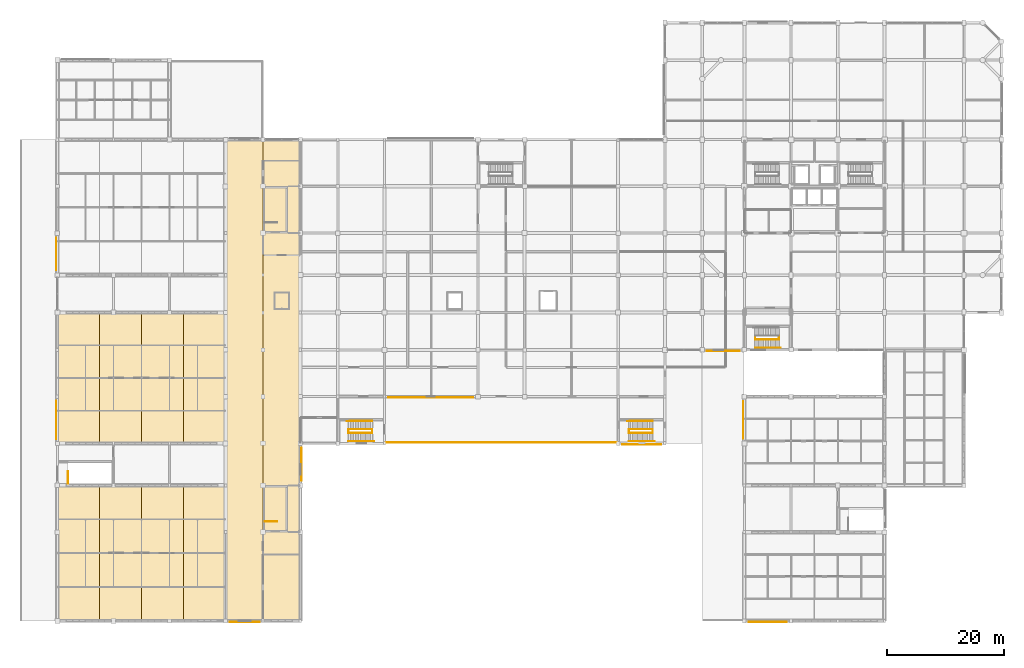
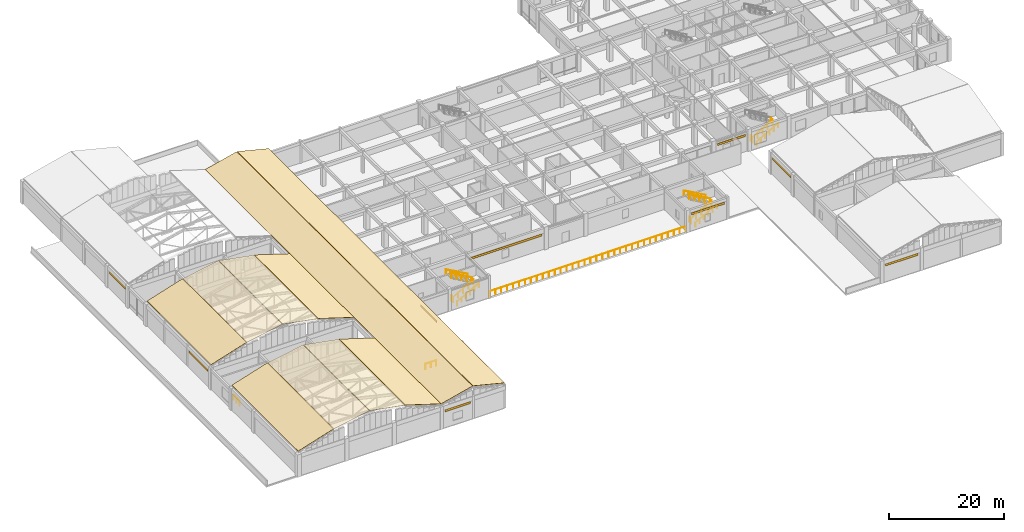
# One storey, part 59 of 61: 19 coverings, 13 railings.
"""IFC4 building model written with IfcOpenShell, lengths in metres."""

from ifc_helpers import new_model, si_unit, direction, frame, origin, origin_2d, place, context, subcontext, project, spatial, polyline, circle, outline, extrude, material, layer, layer_set, type_object, element, save


model = new_model("IFC4")

# Units and contexts
model_context = context("Model", 3, precision=1e-05, world=origin(), true_north=direction((0.0, 1.0)))
body_context = subcontext(model_context, "Body", "Model", "MODEL_VIEW")
ifc_project = project(units=[si_unit("LENGTHUNIT", "METRE"), si_unit("AREAUNIT", "SQUARE_METRE"), si_unit("VOLUMEUNIT", "CUBIC_METRE"), si_unit("PLANEANGLEUNIT", "RADIAN"), si_unit("MASSUNIT", "GRAM", prefix="KILO")], contexts=[model_context])

# Site, building, storey
site_placement = place(None, origin())
site = spatial("IfcSite", under=ifc_project, at=site_placement, CompositionType="ELEMENT")
building_placement = place(site_placement, origin())
building = spatial("IfcBuilding", under=site, at=building_placement, Name="Vellmiral Cinema and Media Centre", CompositionType="ELEMENT")
storey_placement = place(building_placement, frame((0.0, 0.0, 10.800048828125)))
storey = spatial("IfcBuildingStorey", under=building, at=storey_placement, Name="L02", CompositionType="ELEMENT", Elevation=10.800048828125)

# Coverings
ifc_material_1 = material(Name="Polychrome Trencadis Ceramic Mosaic")
ifc_layer_1 = layer(ifc_material_1, 0.034912109375, Name="Polychrome Trencadis Ceramic Mosaic")
ifc_layer_set_1 = layer_set([ifc_layer_1], Name="Polychrome Trencadis Ceramic Mosaic")
covering_type_1 = type_object("IfcCoveringType", Name="COV-TRENCADIS-CLAD", PredefinedType="CLADDING", material=ifc_layer_set_1)
covering_1_placement = place(storey_placement, frame((0.0, 0.0, 3.369873046875)))
element("IfcCovering", 1, at=covering_1_placement, inside=storey, type_object=covering_type_1, Name="Trencadis Spandrel Mosaic L02-004", PredefinedType="CLADDING", context=body_context, shape_type="SweptSolid", body=[
    extrude(outline(polyline([(35.925048828125, 12.592041015625), (41.0, 12.592041015625), (41.0, 12.626953125), (35.925048828125, 12.626953125), (35.925048828125, 12.592041015625)])), origin(), (0.0, 0.0, 1.0), 0.47998046875),
])
covering_2_placement = place(storey_placement, frame((0.0, 0.0, 3.369873046875)))
element("IfcCovering", 2, at=covering_2_placement, inside=storey, type_object=covering_type_1, Name="Trencadis Spandrel Mosaic L02-008", PredefinedType="CLADDING", context=body_context, shape_type="SweptSolid", body=[
    extrude(outline(polyline([(48.2080078125, 36.800048828125), (48.2080078125, 42.425048828125), (48.173095703125, 42.425048828125), (48.173095703125, 36.800048828125), (48.2080078125, 36.800048828125)])), origin(), (0.0, 0.0, 1.0), 0.47998046875),
])
covering_3_placement = place(storey_placement, frame((0.0, 0.0, 2.96484375)))
element("IfcCovering", 3, at=covering_3_placement, inside=storey, type_object=covering_type_1, Name="Trencadis Spandrel Mosaic L02-012", PredefinedType="CLADDING", context=body_context, shape_type="SweptSolid", body=[
    extrude(outline(polyline([(63.0, 51.02197265625), (77.60009765625, 51.02197265625), (77.60009765625, 51.056884765625), (63.0, 51.056884765625), (63.0, 51.02197265625)])), origin(), (0.0, 0.0, 1.0), 0.480224609375),
])
covering_4_placement = place(storey_placement, frame((0.0, 0.0, 3.375)))
element("IfcCovering", 4, at=covering_4_placement, inside=storey, type_object=covering_type_1, Name="Trencadis Spandrel Mosaic L02-016", PredefinedType="CLADDING", context=body_context, shape_type="SweptSolid", body=[
    extrude(outline(polyline([(103.125, 42.991943359375), (109.800048828125, 42.991943359375), (109.800048828125, 43.027099609375), (103.125, 43.027099609375), (103.125, 42.991943359375)])), origin(), (0.0, 0.0, 1.0), 0.47998046875),
])
covering_5_placement = place(storey_placement, frame((0.0, 0.0, 3.3798828125)))
element("IfcCovering", 5, at=covering_5_placement, inside=storey, type_object=covering_type_1, Name="Trencadis Spandrel Mosaic L02-020", PredefinedType="CLADDING", context=body_context, shape_type="SweptSolid", body=[
    extrude(outline(polyline([(117.60009765625, 58.991943359375), (123.22509765625, 58.991943359375), (123.22509765625, 59.027099609375), (117.60009765625, 59.027099609375), (117.60009765625, 58.991943359375)])), origin(), (0.0, 0.0, 1.0), 0.47998046875),
])
covering_6_placement = place(storey_placement, frame((0.0, 0.0, 3.429931640625)))
element("IfcCovering", 6, at=covering_6_placement, inside=storey, type_object=covering_type_1, Name="Trencadis Spandrel Mosaic L02-028", PredefinedType="CLADDING", context=body_context, shape_type="SweptSolid", body=[
    extrude(outline(polyline([(123.7919921875, 50.39990234375), (123.7919921875, 44.02490234375), (123.826904296875, 44.02490234375), (123.826904296875, 50.39990234375), (123.7919921875, 50.39990234375)])), origin(), (0.0, 0.0, 1.0), 0.47998046875),
])
covering_7_placement = place(storey_placement, frame((0.0, 0.0, 3.3798828125)))
element("IfcCovering", 7, at=covering_7_placement, inside=storey, type_object=covering_type_1, Name="Trencadis Spandrel Mosaic L02-032", PredefinedType="CLADDING", context=body_context, shape_type="SweptSolid", body=[
    extrude(outline(polyline([(124.72509765625, 12.592041015625), (131.27490234375, 12.592041015625), (131.27490234375, 12.626953125), (124.72509765625, 12.626953125), (124.72509765625, 12.592041015625)])), origin(), (0.0, 0.0, 1.0), 0.47998046875),
])
covering_8_placement = place(storey_placement, frame((0.0, 0.0, 3.3798828125)))
element("IfcCovering", 8, at=covering_8_placement, inside=storey, type_object=covering_type_1, Name="Trencadis Spandrel Mosaic L02-076", PredefinedType="CLADDING", context=body_context, shape_type="SweptSolid", body=[
    extrude(outline(polyline([(6.19189453125, 78.425048828125), (6.19189453125, 72.800048828125), (6.22705078125, 72.800048828125), (6.22705078125, 78.425048828125), (6.19189453125, 78.425048828125)])), origin(), (0.0, 0.0, 1.0), 0.47998046875),
])
covering_9_placement = place(storey_placement, frame((0.0, 0.0, 3.3798828125)))
element("IfcCovering", 9, at=covering_9_placement, inside=storey, type_object=covering_type_1, Name="Trencadis Spandrel Mosaic L02-080", PredefinedType="CLADDING", context=body_context, shape_type="SweptSolid", body=[
    extrude(outline(polyline([(6.19189453125, 50.5), (6.19189453125, 43.925048828125), (6.22705078125, 43.925048828125), (6.22705078125, 50.5), (6.19189453125, 50.5)])), origin(), (0.0, 0.0, 1.0), 0.47998046875),
])
ifc_material_2 = material(Name="Glazed Catalan Ceramic Roof Tile")
ifc_layer_2 = layer(ifc_material_2, 0.044921875, Name="Glazed Catalan Ceramic Roof Tile")
ifc_layer_set_2 = layer_set([ifc_layer_2], Name="Glazed Catalan Ceramic Roof Tile")
covering_type_2 = type_object("IfcCoveringType", Name="COV-VAULT-ROOFING", PredefinedType="ROOFING", material=ifc_layer_set_2)
covering_10_placement = place(storey_placement, frame((6.39990234375, 12.800048828125, 5.223876953125), z_axis=(-0.300691388993, 0.0, 0.953721494245), x_axis=(0.953721494245, 0.0, 0.300691388993)))
element("IfcCovering", 10, at=covering_10_placement, inside=storey, type_object=covering_type_2, Name="Cinema Screen 1 Catalan Ceramic Vault Roofing A1", PredefinedType="ROOFING", context=body_context, shape_type="SweptSolid", body=[
    extrude(outline(polyline([(0.0, 0.0), (7.5160441846787185, 0.0), (7.5160441846787185, 23.199951171875), (0.0, 23.199951171875), (0.0, 0.0)])), origin(), (0.0, 0.0, -1.0), 0.044921875),
])
covering_11_placement = place(storey_placement, frame((13.632080078125, 12.800048828125, 7.482666015625), z_axis=(-0.182240039857, 0.0, 0.983254070865), x_axis=(0.983254070865, 0.0, 0.182240039857)))
element("IfcCovering", 11, at=covering_11_placement, inside=storey, type_object=covering_type_2, Name="Cinema Screen 1 Catalan Ceramic Vault Roofing A2", PredefinedType="ROOFING", context=body_context, shape_type="SweptSolid", body=[
    extrude(outline(polyline([(0.0, 0.0), (7.247588303249432, 0.0), (7.247588303249432, 23.199951171875004), (0.0, 23.199951171875004), (0.0, 0.0)])), origin(), (0.0, 0.0, -1.0), 0.044921875),
])
covering_12_placement = place(storey_placement, frame((20.841552734375, 12.800048828125, 8.803466796875), z_axis=(0.182234003958, 0.0, 0.983255189562), x_axis=(0.983255189562, 0.0, -0.182234003958)))
element("IfcCovering", 12, at=covering_12_placement, inside=storey, type_object=covering_type_2, Name="Cinema Screen 1 Catalan Ceramic Vault Roofing B2", PredefinedType="ROOFING", context=body_context, shape_type="SweptSolid", body=[
    extrude(outline(polyline([(0.0, 0.0), (7.247828355649389, 0.0), (7.247828355649389, 23.199951171875), (0.0, 23.199951171875), (0.0, 0.0)])), origin(), (0.0, 0.0, -1.0), 0.044921875),
])
covering_13_placement = place(storey_placement, frame((28.031982421875, 12.800048828125, 7.48388671875), z_axis=(0.300700704491, 0.0, 0.953718557185), x_axis=(0.953718557185, 0.0, -0.300700704491)))
element("IfcCovering", 13, at=covering_13_placement, inside=storey, type_object=covering_type_2, Name="Cinema Screen 1 Catalan Ceramic Vault Roofing B1", PredefinedType="ROOFING", context=body_context, shape_type="SweptSolid", body=[
    extrude(outline(polyline([(0.0, 0.0), (7.51581134287556, 0.0), (7.51581134287556, 23.199951171875), (0.0, 23.199951171875), (0.0, 0.0)])), origin(), (0.0, 0.0, -1.0), 0.044921875),
])
covering_14_placement = place(storey_placement, frame((6.39990234375, 43.199951171875, 5.223876953125), z_axis=(-0.300691388993, 0.0, 0.953721494245), x_axis=(0.953721494245, 0.0, 0.300691388993)))
element("IfcCovering", 14, at=covering_14_placement, inside=storey, type_object=covering_type_2, Name="Cinema Screen 2 Catalan Ceramic Vault Roofing A1", PredefinedType="ROOFING", context=body_context, shape_type="SweptSolid", body=[
    extrude(outline(polyline([(0.0, 0.0), (7.5160441846787185, 0.0), (7.5160441846787185, 22.400146484375), (0.0, 22.400146484375), (0.0, 0.0)])), origin(), (0.0, 0.0, -1.0), 0.044921875),
])
covering_15_placement = place(storey_placement, frame((13.632080078125, 43.199951171875, 7.482666015625), z_axis=(-0.182240039857, 0.0, 0.983254070865), x_axis=(0.983254070865, 0.0, 0.182240039857)))
element("IfcCovering", 15, at=covering_15_placement, inside=storey, type_object=covering_type_2, Name="Cinema Screen 2 Catalan Ceramic Vault Roofing A2", PredefinedType="ROOFING", context=body_context, shape_type="SweptSolid", body=[
    extrude(outline(polyline([(0.0, 0.0), (7.247588303249432, 0.0), (7.247588303249432, 22.400146484375), (0.0, 22.400146484375), (0.0, 0.0)])), origin(), (0.0, 0.0, -1.0), 0.044921875),
])
covering_16_placement = place(storey_placement, frame((20.841552734375, 43.199951171875, 8.803466796875), z_axis=(0.182234003958, 0.0, 0.983255189562), x_axis=(0.983255189562, 0.0, -0.182234003958)))
element("IfcCovering", 16, at=covering_16_placement, inside=storey, type_object=covering_type_2, Name="Cinema Screen 2 Catalan Ceramic Vault Roofing B2", PredefinedType="ROOFING", context=body_context, shape_type="SweptSolid", body=[
    extrude(outline(polyline([(0.0, 0.0), (7.247828355649389, 0.0), (7.247828355649389, 22.400146484375), (0.0, 22.400146484375), (0.0, 0.0)])), origin(), (0.0, 0.0, -1.0), 0.044921875),
])
covering_17_placement = place(storey_placement, frame((28.031982421875, 43.199951171875, 7.48388671875), z_axis=(0.300700704491, 0.0, 0.953718557185), x_axis=(0.953718557185, 0.0, -0.300700704491)))
element("IfcCovering", 17, at=covering_17_placement, inside=storey, type_object=covering_type_2, Name="Cinema Screen 2 Catalan Ceramic Vault Roofing B1", PredefinedType="ROOFING", context=body_context, shape_type="SweptSolid", body=[
    extrude(outline(polyline([(0.0, 0.0), (7.51581134287556, 0.0), (7.51581134287556, 22.400146484375), (0.0, 22.400146484375), (0.0, 0.0)])), origin(), (0.0, 0.0, -1.0), 0.044921875),
])
for number, where, z_axis, x_axis, name in (
    (18, (35.199951171875, 12.800048828125, 5.21728515625), (-0.241939485664, 0.0, 0.970291340411), (0.970291340411, 0.0, 0.241939485664), "West Premiere Concourse Gallery Vault Catalan Ceramic Vault Roofing A"),
    (19, (41.6416015625, 12.800048828125, 6.802734375), (0.241939485664, 0.0, 0.970291340411), (0.970291340411, 0.0, -0.241939485664), "West Premiere Concourse Gallery Vault Catalan Ceramic Vault Roofing B"),
):
    element("IfcCovering", number, at=place(storey_placement, frame(where, z_axis=z_axis, x_axis=x_axis)), inside=storey, type_object=covering_type_2, Name=name, PredefinedType="ROOFING", context=body_context, shape_type="SweptSolid", body=[
        extrude(outline(polyline([(0.0, 0.0), (6.553081711320059, 0.0), (6.553081711320059, 82.39990234375001), (0.0, 82.39990234375001), (0.0, 0.0)])), origin(), (0.0, 0.0, -1.0), 0.044921875),
    ])

# Railings
ifc_material_3 = material(Name="Forged Wrought-Iron Whiplash Balustrade", Category="steel")
railing_type_1 = type_object("IfcRailingType", Name="RL-BAL-WROUGHT-1120", PredefinedType="BALUSTRADE", material=ifc_material_3)
railing_1_placement = place(storey_placement, frame((62.60009765625, 43.35009765625, 0.0)))
element("IfcRailing", 20, at=railing_1_placement, inside=storey, type_object=railing_type_1, Name="Terrace Wrought-Iron Balustrade RL-TERR-L02-COURT", PredefinedType="BALUSTRADE", context=body_context, shape_type="SweptSolid", body=[
    extrude(circle(Radius=0.02392578125, at=origin_2d()), frame((0.0, 0.0, 1.09619140625), z_axis=(1.0, 0.0, 0.0), x_axis=(0.0, 1.0, 0.0)), (0.0, 0.0, 1.0), 39.599853515625),
    extrude(circle(Radius=0.02099609375, at=origin_2d()), origin(), (0.0, 0.0, 1.0), 1.072021484375),
    extrude(circle(Radius=0.02099609375, at=origin_2d()), frame((1.199951171875, 0.0, 0.0)), (0.0, 0.0, 1.0), 1.072021484375),
    extrude(circle(Radius=0.02099609375, at=origin_2d()), frame((2.39990234375, 0.0, 0.0)), (0.0, 0.0, 1.0), 1.072021484375),
    extrude(circle(Radius=0.02099609375, at=origin_2d()), frame((3.60009765625, 0.0, 0.0)), (0.0, 0.0, 1.0), 1.072021484375),
    extrude(circle(Radius=0.02099609375, at=origin_2d()), frame((4.800048828125, 0.0, 0.0)), (0.0, 0.0, 1.0), 1.072021484375),
    extrude(circle(Radius=0.02099609375, at=origin_2d()), frame((6.0, 0.0, 0.0)), (0.0, 0.0, 1.0), 1.072021484375),
    extrude(circle(Radius=0.02099609375, at=origin_2d()), frame((7.199951171875, 0.0, 0.0)), (0.0, 0.0, 1.0), 1.072021484375),
    extrude(circle(Radius=0.02099609375, at=origin_2d()), frame((8.39990234375, 0.0, 0.0)), (0.0, 0.0, 1.0), 1.072021484375),
    extrude(circle(Radius=0.02099609375, at=origin_2d()), frame((9.599853515625, 0.0, 0.0)), (0.0, 0.0, 1.0), 1.072021484375),
    extrude(circle(Radius=0.02099609375, at=origin_2d()), frame((10.800048828125, 0.0, 0.0)), (0.0, 0.0, 1.0), 1.072021484375),
    extrude(circle(Radius=0.02099609375, at=origin_2d()), frame((12.0, 0.0, 0.0)), (0.0, 0.0, 1.0), 1.072021484375),
    extrude(circle(Radius=0.02099609375, at=origin_2d()), frame((13.199951171875, 0.0, 0.0)), (0.0, 0.0, 1.0), 1.072021484375),
    extrude(circle(Radius=0.02099609375, at=origin_2d()), frame((14.39990234375, 0.0, 0.0)), (0.0, 0.0, 1.0), 1.072021484375),
    extrude(circle(Radius=0.02099609375, at=origin_2d()), frame((15.599853515625, 0.0, 0.0)), (0.0, 0.0, 1.0), 1.072021484375),
    extrude(circle(Radius=0.02099609375, at=origin_2d()), frame((16.800048828125, 0.0, 0.0)), (0.0, 0.0, 1.0), 1.072021484375),
    extrude(circle(Radius=0.02099609375, at=origin_2d()), frame((18.0, 0.0, 0.0)), (0.0, 0.0, 1.0), 1.072021484375),
    extrude(circle(Radius=0.02099609375, at=origin_2d()), frame((19.199951171875, 0.0, 0.0)), (0.0, 0.0, 1.0), 1.072021484375),
    extrude(circle(Radius=0.02099609375, at=origin_2d()), frame((20.39990234375, 0.0, 0.0)), (0.0, 0.0, 1.0), 1.072021484375),
    extrude(circle(Radius=0.02099609375, at=origin_2d()), frame((21.599853515625, 0.0, 0.0)), (0.0, 0.0, 1.0), 1.072021484375),
    extrude(circle(Radius=0.02099609375, at=origin_2d()), frame((22.7998046875, 0.0, 0.0)), (0.0, 0.0, 1.0), 1.072021484375),
    extrude(circle(Radius=0.02099609375, at=origin_2d()), frame((24.0, 0.0, 0.0)), (0.0, 0.0, 1.0), 1.072021484375),
    extrude(circle(Radius=0.02099609375, at=origin_2d()), frame((25.199951171875, 0.0, 0.0)), (0.0, 0.0, 1.0), 1.072021484375),
    extrude(circle(Radius=0.02099609375, at=origin_2d()), frame((26.39990234375, 0.0, 0.0)), (0.0, 0.0, 1.0), 1.072021484375),
    extrude(circle(Radius=0.02099609375, at=origin_2d()), frame((27.599853515625, 0.0, 0.0)), (0.0, 0.0, 1.0), 1.072021484375),
    extrude(circle(Radius=0.02099609375, at=origin_2d()), frame((28.7998046875, 0.0, 0.0)), (0.0, 0.0, 1.0), 1.072021484375),
    extrude(circle(Radius=0.02099609375, at=origin_2d()), frame((30.0, 0.0, 0.0)), (0.0, 0.0, 1.0), 1.072021484375),
    extrude(circle(Radius=0.02099609375, at=origin_2d()), frame((31.199951171875, 0.0, 0.0)), (0.0, 0.0, 1.0), 1.072021484375),
    extrude(circle(Radius=0.02099609375, at=origin_2d()), frame((32.39990234375, 0.0, 0.0)), (0.0, 0.0, 1.0), 1.072021484375),
    extrude(circle(Radius=0.02099609375, at=origin_2d()), frame((33.599853515625, 0.0, 0.0)), (0.0, 0.0, 1.0), 1.072021484375),
    extrude(circle(Radius=0.02099609375, at=origin_2d()), frame((34.7998046875, 0.0, 0.0)), (0.0, 0.0, 1.0), 1.072021484375),
    extrude(circle(Radius=0.02099609375, at=origin_2d()), frame((35.999755859375, 0.0, 0.0)), (0.0, 0.0, 1.0), 1.072021484375),
    extrude(circle(Radius=0.02099609375, at=origin_2d()), frame((37.199951171875, 0.0, 0.0)), (0.0, 0.0, 1.0), 1.072021484375),
    extrude(circle(Radius=0.02099609375, at=origin_2d()), frame((38.39990234375, 0.0, 0.0)), (0.0, 0.0, 1.0), 1.072021484375),
    extrude(circle(Radius=0.02099609375, at=origin_2d()), frame((39.599853515625, 0.0, 0.0)), (0.0, 0.0, 1.0), 1.072021484375),
])
ifc_material_4 = material(Name="Brushed Stainless Steel Handrail", Category="steel")
railing_type_2 = type_object("IfcRailingType", Name="RL-HANDRAIL-900", PredefinedType="HANDRAIL", material=ifc_material_4)
railing_2_placement = place(storey_placement, frame((56.25, 43.56005859375, 0.159912109375)))
element("IfcRailing", 21, at=railing_2_placement, inside=storey, type_object=railing_type_2, Name="Stair Wall Handrail ST-P3 L02-1", PredefinedType="HANDRAIL", context=body_context, shape_type="SweptSolid", body=[
    extrude(circle(Radius=0.02392578125, at=origin_2d()), frame((0.0, 0.0, 0.8759765625), z_axis=(0.875569800069, 0.0, 0.483091632309), x_axis=(0.0, 1.0, 0.0)), (0.0, 0.0, 1.0), 4.96826171875),
    extrude(circle(Radius=0.02099609375, at=origin_2d()), origin(), (0.0, 0.0, 1.0), 0.851806640625),
    extrude(circle(Radius=0.02099609375, at=origin_2d()), frame((0.8701171875, 0.0, 0.47998046875)), (0.0, 0.0, 1.0), 0.851806640625),
    extrude(circle(Radius=0.02099609375, at=origin_2d()), frame((1.739990234375, 0.0, 0.9599609375)), (0.0, 0.0, 1.0), 0.851806640625),
    extrude(circle(Radius=0.02099609375, at=origin_2d()), frame((2.610107421875, 0.0, 1.440185546875)), (0.0, 0.0, 1.0), 0.851806640625),
    extrude(circle(Radius=0.02099609375, at=origin_2d()), frame((3.47998046875, 0.0, 1.920166015625)), (0.0, 0.0, 1.0), 0.851806640625),
    extrude(circle(Radius=0.02099609375, at=origin_2d()), frame((4.35009765625, 0.0, 2.400146484375)), (0.0, 0.0, 1.0), 0.851806640625),
])
railing_3_placement = place(storey_placement, frame((60.31005859375, 47.0400390625, 2.56005859375)))
element("IfcRailing", 22, at=railing_3_placement, inside=storey, type_object=railing_type_2, Name="Stair Wall Handrail ST-P3 L02-2", PredefinedType="HANDRAIL", context=body_context, shape_type="SweptSolid", body=[
    extrude(circle(Radius=0.02392578125, at=origin_2d()), frame((0.0, 0.0, 0.8759765625), z_axis=(-0.875590584852, 0.0, 0.483053959428), x_axis=(0.0, -1.0, 0.0)), (0.0, 0.0, 1.0), 4.96826171875),
    extrude(circle(Radius=0.02099609375, at=origin_2d()), origin(), (0.0, 0.0, 1.0), 0.851806640625),
    extrude(circle(Radius=0.02099609375, at=origin_2d()), frame((-0.8701171875, 0.0, 0.47998046875)), (0.0, 0.0, 1.0), 0.851806640625),
    extrude(circle(Radius=0.02099609375, at=origin_2d()), frame((-1.739990234375, 0.0, 0.9599609375)), (0.0, 0.0, 1.0), 0.851806640625),
    extrude(circle(Radius=0.02099609375, at=origin_2d()), frame((-2.610107421875, 0.0, 1.43994140625)), (0.0, 0.0, 1.0), 0.851806640625),
    extrude(circle(Radius=0.02099609375, at=origin_2d()), frame((-3.47998046875, 0.0, 1.919921875)), (0.0, 0.0, 1.0), 0.851806640625),
    extrude(circle(Radius=0.02099609375, at=origin_2d()), frame((-4.35009765625, 0.0, 2.39990234375)), (0.0, 0.0, 1.0), 0.851806640625),
])
railing_4_placement = place(storey_placement, frame((104.25, 43.56005859375, 0.159912109375)))
element("IfcRailing", 23, at=railing_4_placement, inside=storey, type_object=railing_type_2, Name="Stair Wall Handrail ST-P4 L02-1", PredefinedType="HANDRAIL", context=body_context, shape_type="SweptSolid", body=[
    extrude(circle(Radius=0.02392578125, at=origin_2d()), frame((0.0, 0.0, 0.8759765625), z_axis=(0.875569800069, 0.0, 0.483091632309), x_axis=(0.0, 1.0, 0.0)), (0.0, 0.0, 1.0), 4.96826171875),
    extrude(circle(Radius=0.02099609375, at=origin_2d()), origin(), (0.0, 0.0, 1.0), 0.851806640625),
    extrude(circle(Radius=0.02099609375, at=origin_2d()), frame((0.8701171875, 0.0, 0.47998046875)), (0.0, 0.0, 1.0), 0.851806640625),
    extrude(circle(Radius=0.02099609375, at=origin_2d()), frame((1.739990234375, 0.0, 0.9599609375)), (0.0, 0.0, 1.0), 0.851806640625),
    extrude(circle(Radius=0.02099609375, at=origin_2d()), frame((2.610107421875, 0.0, 1.440185546875)), (0.0, 0.0, 1.0), 0.851806640625),
    extrude(circle(Radius=0.02099609375, at=origin_2d()), frame((3.47998046875, 0.0, 1.920166015625)), (0.0, 0.0, 1.0), 0.851806640625),
    extrude(circle(Radius=0.02099609375, at=origin_2d()), frame((4.35009765625, 0.0, 2.400146484375)), (0.0, 0.0, 1.0), 0.851806640625),
])
railing_5_placement = place(storey_placement, frame((108.31005859375, 47.0400390625, 2.56005859375)))
element("IfcRailing", 24, at=railing_5_placement, inside=storey, type_object=railing_type_2, Name="Stair Wall Handrail ST-P4 L02-2", PredefinedType="HANDRAIL", context=body_context, shape_type="SweptSolid", body=[
    extrude(circle(Radius=0.02392578125, at=origin_2d()), frame((0.0, 0.0, 0.8759765625), z_axis=(-0.875590584852, 0.0, 0.483053959428), x_axis=(0.0, -1.0, 0.0)), (0.0, 0.0, 1.0), 4.96826171875),
    extrude(circle(Radius=0.02099609375, at=origin_2d()), origin(), (0.0, 0.0, 1.0), 0.851806640625),
    extrude(circle(Radius=0.02099609375, at=origin_2d()), frame((-0.8701171875, 0.0, 0.47998046875)), (0.0, 0.0, 1.0), 0.851806640625),
    extrude(circle(Radius=0.02099609375, at=origin_2d()), frame((-1.739990234375, 0.0, 0.9599609375)), (0.0, 0.0, 1.0), 0.851806640625),
    extrude(circle(Radius=0.02099609375, at=origin_2d()), frame((-2.610107421875, 0.0, 1.43994140625)), (0.0, 0.0, 1.0), 0.851806640625),
    extrude(circle(Radius=0.02099609375, at=origin_2d()), frame((-3.47998046875, 0.0, 1.919921875)), (0.0, 0.0, 1.0), 0.851806640625),
    extrude(circle(Radius=0.02099609375, at=origin_2d()), frame((-4.35009765625, 0.0, 2.39990234375)), (0.0, 0.0, 1.0), 0.851806640625),
])
railing_6_placement = place(storey_placement, frame((125.85009765625, 59.56005859375, 0.159912109375)))
element("IfcRailing", 25, at=railing_6_placement, inside=storey, type_object=railing_type_2, Name="Stair Wall Handrail ST-P6 L02-1", PredefinedType="HANDRAIL", context=body_context, shape_type="SweptSolid", body=[
    extrude(circle(Radius=0.02392578125, at=origin_2d()), frame((0.0, 0.0, 0.8759765625), z_axis=(0.875558331245, 0.0, 0.483112418167), x_axis=(0.0, 1.0, 0.0)), (0.0, 0.0, 1.0), 4.968017578125),
    extrude(circle(Radius=0.02099609375, at=origin_2d()), origin(), (0.0, 0.0, 1.0), 0.851806640625),
    extrude(circle(Radius=0.02099609375, at=origin_2d()), frame((0.869873046875, 0.0, 0.47998046875)), (0.0, 0.0, 1.0), 0.851806640625),
    extrude(circle(Radius=0.02099609375, at=origin_2d()), frame((1.739990234375, 0.0, 0.9599609375)), (0.0, 0.0, 1.0), 0.851806640625),
    extrude(circle(Radius=0.02099609375, at=origin_2d()), frame((2.60986328125, 0.0, 1.440185546875)), (0.0, 0.0, 1.0), 0.851806640625),
    extrude(circle(Radius=0.02099609375, at=origin_2d()), frame((3.47998046875, 0.0, 1.920166015625)), (0.0, 0.0, 1.0), 0.851806640625),
    extrude(circle(Radius=0.02099609375, at=origin_2d()), frame((4.349853515625, 0.0, 2.400146484375)), (0.0, 0.0, 1.0), 0.851806640625),
])
ifc_material_5 = material(Name="Painted Steel Stair Guardrail", Category="steel")
railing_type_3 = type_object("IfcRailingType", Name="RL-STAIR-GUARD-1120", PredefinedType="GUARDRAIL", material=ifc_material_5)
railing_7_placement = place(storey_placement, frame((41.89990234375, 29.800048828125, 0.0)))
element("IfcRailing", 26, at=railing_7_placement, inside=storey, type_object=railing_type_3, Name="Top-Landing Stairwell Guard ST-P1 L02", PredefinedType="GUARDRAIL", context=body_context, shape_type="SweptSolid", body=[
    extrude(circle(Radius=0.02392578125, at=origin_2d()), frame((0.0, 0.0, 1.09619140625), z_axis=(1.0, 0.0, 0.0), x_axis=(0.0, 1.0, 0.0)), (0.0, 0.0, 1.0), 2.14013671875),
    extrude(circle(Radius=0.02099609375, at=origin_2d()), origin(), (0.0, 0.0, 1.0), 1.072021484375),
    extrude(circle(Radius=0.02099609375, at=origin_2d()), frame((1.070068359375, 0.0, 0.0)), (0.0, 0.0, 1.0), 1.072021484375),
    extrude(circle(Radius=0.02099609375, at=origin_2d()), frame((2.14013671875, 0.0, 0.0)), (0.0, 0.0, 1.0), 1.072021484375),
])
railing_8_placement = place(storey_placement, frame((56.25, 45.580078125, 0.0)))
element("IfcRailing", 27, at=railing_8_placement, inside=storey, type_object=railing_type_3, Name="Stair Well Guard ST-P3 L02-A", PredefinedType="GUARDRAIL", context=body_context, shape_type="SweptSolid", body=[
    extrude(circle(Radius=0.02392578125, at=origin_2d()), frame((0.0, 0.0, 1.09619140625), z_axis=(0.0, -1.0, 0.0), x_axis=(1.0, 0.0, 0.0)), (0.0, 0.0, 1.0), 0.60009765625),
    extrude(circle(Radius=0.02392578125, at=origin_2d()), frame((0.0, -0.60009765625, 1.09619140625), z_axis=(0.8608543813, 0.0, 0.508851387142), x_axis=(0.0, 1.0, 0.0)), (0.0, 0.0, 1.0), 4.71630859375),
    extrude(circle(Radius=0.02392578125, at=origin_2d()), frame((4.06005859375, -0.60009765625, 3.49609375), z_axis=(0.0, 1.0, 0.0), x_axis=(-1.0, 0.0, 0.0)), (0.0, 0.0, 1.0), 0.64013671875),
    extrude(circle(Radius=0.02099609375, at=origin_2d()), origin(), (0.0, 0.0, 1.0), 1.072021484375),
    extrude(circle(Radius=0.02099609375, at=origin_2d()), frame((0.0, -0.60009765625, 0.0)), (0.0, 0.0, 1.0), 1.072021484375),
    extrude(circle(Radius=0.02099609375, at=origin_2d()), frame((1.01513671875, -0.60009765625, 0.60009765625)), (0.0, 0.0, 1.0), 1.072021484375),
    extrude(circle(Radius=0.02099609375, at=origin_2d()), frame((2.030029296875, -0.60009765625, 1.199951171875)), (0.0, 0.0, 1.0), 1.072021484375),
    extrude(circle(Radius=0.02099609375, at=origin_2d()), frame((3.044921875, -0.60009765625, 1.7998046875)), (0.0, 0.0, 1.0), 1.072021484375),
    extrude(circle(Radius=0.02099609375, at=origin_2d()), frame((4.06005859375, -0.60009765625, 2.39990234375)), (0.0, 0.0, 1.0), 1.072021484375),
    extrude(circle(Radius=0.02099609375, at=origin_2d()), frame((4.06005859375, 0.0400390625, 2.39990234375)), (0.0, 0.0, 1.0), 1.072021484375),
])
railing_9_placement = place(storey_placement, frame((60.31005859375, 45.6201171875, 2.39990234375)))
element("IfcRailing", 28, at=railing_9_placement, inside=storey, type_object=railing_type_3, Name="Stair Well Guard ST-P3 L02-B", PredefinedType="GUARDRAIL", context=body_context, shape_type="SweptSolid", body=[
    extrude(circle(Radius=0.02392578125, at=origin_2d()), frame((0.0, 0.0, 1.09619140625), z_axis=(-0.860831705478, 0.0, 0.508889747237), x_axis=(0.0, -1.0, 0.0)), (0.0, 0.0, 1.0), 4.716552734375),
    extrude(circle(Radius=0.02099609375, at=origin_2d()), origin(), (0.0, 0.0, 1.0), 1.072021484375),
    extrude(circle(Radius=0.02099609375, at=origin_2d()), frame((-1.01513671875, 0.0, 0.60009765625)), (0.0, 0.0, 1.0), 1.072021484375),
    extrude(circle(Radius=0.02099609375, at=origin_2d()), frame((-2.030029296875, 0.0, 1.2001953125)), (0.0, 0.0, 1.0), 1.072021484375),
    extrude(circle(Radius=0.02099609375, at=origin_2d()), frame((-3.044921875, 0.0, 1.800048828125)), (0.0, 0.0, 1.0), 1.072021484375),
    extrude(circle(Radius=0.02099609375, at=origin_2d()), frame((-4.06005859375, 0.0, 2.400146484375)), (0.0, 0.0, 1.0), 1.072021484375),
])
railing_10_placement = place(storey_placement, frame((104.25, 45.580078125, 0.0)))
element("IfcRailing", 29, at=railing_10_placement, inside=storey, type_object=railing_type_3, Name="Stair Well Guard ST-P4 L02-A", PredefinedType="GUARDRAIL", context=body_context, shape_type="SweptSolid", body=[
    extrude(circle(Radius=0.02392578125, at=origin_2d()), frame((0.0, 0.0, 1.09619140625), z_axis=(0.0, -1.0, 0.0), x_axis=(1.0, 0.0, 0.0)), (0.0, 0.0, 1.0), 0.60009765625),
    extrude(circle(Radius=0.02392578125, at=origin_2d()), frame((0.0, -0.60009765625, 1.09619140625), z_axis=(0.8608543813, 0.0, 0.508851387142), x_axis=(0.0, 1.0, 0.0)), (0.0, 0.0, 1.0), 4.71630859375),
    extrude(circle(Radius=0.02392578125, at=origin_2d()), frame((4.06005859375, -0.60009765625, 3.49609375), z_axis=(0.0, 1.0, 0.0), x_axis=(-1.0, 0.0, 0.0)), (0.0, 0.0, 1.0), 0.64013671875),
    extrude(circle(Radius=0.02099609375, at=origin_2d()), origin(), (0.0, 0.0, 1.0), 1.072021484375),
    extrude(circle(Radius=0.02099609375, at=origin_2d()), frame((0.0, -0.60009765625, 0.0)), (0.0, 0.0, 1.0), 1.072021484375),
    extrude(circle(Radius=0.02099609375, at=origin_2d()), frame((1.01513671875, -0.60009765625, 0.60009765625)), (0.0, 0.0, 1.0), 1.072021484375),
    extrude(circle(Radius=0.02099609375, at=origin_2d()), frame((2.030029296875, -0.60009765625, 1.199951171875)), (0.0, 0.0, 1.0), 1.072021484375),
    extrude(circle(Radius=0.02099609375, at=origin_2d()), frame((3.044921875, -0.60009765625, 1.7998046875)), (0.0, 0.0, 1.0), 1.072021484375),
    extrude(circle(Radius=0.02099609375, at=origin_2d()), frame((4.06005859375, -0.60009765625, 2.39990234375)), (0.0, 0.0, 1.0), 1.072021484375),
    extrude(circle(Radius=0.02099609375, at=origin_2d()), frame((4.06005859375, 0.0400390625, 2.39990234375)), (0.0, 0.0, 1.0), 1.072021484375),
])
railing_11_placement = place(storey_placement, frame((108.31005859375, 45.6201171875, 2.39990234375)))
element("IfcRailing", 30, at=railing_11_placement, inside=storey, type_object=railing_type_3, Name="Stair Well Guard ST-P4 L02-B", PredefinedType="GUARDRAIL", context=body_context, shape_type="SweptSolid", body=[
    extrude(circle(Radius=0.02392578125, at=origin_2d()), frame((0.0, 0.0, 1.09619140625), z_axis=(-0.860831705478, 0.0, 0.508889747237), x_axis=(0.0, -1.0, 0.0)), (0.0, 0.0, 1.0), 4.716552734375),
    extrude(circle(Radius=0.02099609375, at=origin_2d()), origin(), (0.0, 0.0, 1.0), 1.072021484375),
    extrude(circle(Radius=0.02099609375, at=origin_2d()), frame((-1.01513671875, 0.0, 0.60009765625)), (0.0, 0.0, 1.0), 1.072021484375),
    extrude(circle(Radius=0.02099609375, at=origin_2d()), frame((-2.030029296875, 0.0, 1.2001953125)), (0.0, 0.0, 1.0), 1.072021484375),
    extrude(circle(Radius=0.02099609375, at=origin_2d()), frame((-3.044921875, 0.0, 1.800048828125)), (0.0, 0.0, 1.0), 1.072021484375),
    extrude(circle(Radius=0.02099609375, at=origin_2d()), frame((-4.06005859375, 0.0, 2.400146484375)), (0.0, 0.0, 1.0), 1.072021484375),
])
railing_12_placement = place(storey_placement, frame((125.85009765625, 61.580078125, 0.0)))
element("IfcRailing", 31, at=railing_12_placement, inside=storey, type_object=railing_type_3, Name="Stair Well Guard ST-P6 L02-A", PredefinedType="GUARDRAIL", context=body_context, shape_type="SweptSolid", body=[
    extrude(circle(Radius=0.02392578125, at=origin_2d()), frame((0.0, 0.0, 1.09619140625), z_axis=(0.0, -1.0, 0.0), x_axis=(1.0, 0.0, 0.0)), (0.0, 0.0, 1.0), 0.60009765625),
    extrude(circle(Radius=0.02392578125, at=origin_2d()), frame((0.0, -0.60009765625, 1.09619140625), z_axis=(0.860840976868, 0.0, 0.508874063541), x_axis=(0.0, 1.0, 0.0)), (0.0, 0.0, 1.0), 4.716064453125),
    extrude(circle(Radius=0.02392578125, at=origin_2d()), frame((4.059814453125, -0.60009765625, 3.49609375), z_axis=(0.0, 1.0, 0.0), x_axis=(-1.0, 0.0, 0.0)), (0.0, 0.0, 1.0), 0.64013671875),
    extrude(circle(Radius=0.02099609375, at=origin_2d()), origin(), (0.0, 0.0, 1.0), 1.072021484375),
    extrude(circle(Radius=0.02099609375, at=origin_2d()), frame((0.0, -0.60009765625, 0.0)), (0.0, 0.0, 1.0), 1.072021484375),
    extrude(circle(Radius=0.02099609375, at=origin_2d()), frame((1.014892578125, -0.60009765625, 0.60009765625)), (0.0, 0.0, 1.0), 1.072021484375),
    extrude(circle(Radius=0.02099609375, at=origin_2d()), frame((2.02978515625, -0.60009765625, 1.199951171875)), (0.0, 0.0, 1.0), 1.072021484375),
    extrude(circle(Radius=0.02099609375, at=origin_2d()), frame((3.044921875, -0.60009765625, 1.7998046875)), (0.0, 0.0, 1.0), 1.072021484375),
    extrude(circle(Radius=0.02099609375, at=origin_2d()), frame((4.059814453125, -0.60009765625, 2.39990234375)), (0.0, 0.0, 1.0), 1.072021484375),
    extrude(circle(Radius=0.02099609375, at=origin_2d()), frame((4.059814453125, 0.0400390625, 2.39990234375)), (0.0, 0.0, 1.0), 1.072021484375),
])
railing_13_placement = place(storey_placement, frame((8.199951171875, 36.300048828125, 0.0)))
element("IfcRailing", 32, at=railing_13_placement, inside=storey, type_object=railing_type_3, Name="Top-Landing Stairwell Guard ST-P7 L02", PredefinedType="GUARDRAIL", context=body_context, shape_type="SweptSolid", body=[
    extrude(circle(Radius=0.02392578125, at=origin_2d()), frame((0.0, 0.0, 1.09619140625), z_axis=(0.0, 1.0, 0.0), x_axis=(-1.0, 0.0, 0.0)), (0.0, 0.0, 1.0), 2.139892578125),
    extrude(circle(Radius=0.02099609375, at=origin_2d()), origin(), (0.0, 0.0, 1.0), 1.072021484375),
    extrude(circle(Radius=0.02099609375, at=origin_2d()), frame((0.0, 1.06982421875, 0.0)), (0.0, 0.0, 1.0), 1.072021484375),
    extrude(circle(Radius=0.02099609375, at=origin_2d()), frame((0.0, 2.139892578125, 0.0)), (0.0, 0.0, 1.0), 1.072021484375),
])

save(model, "model.ifc")
